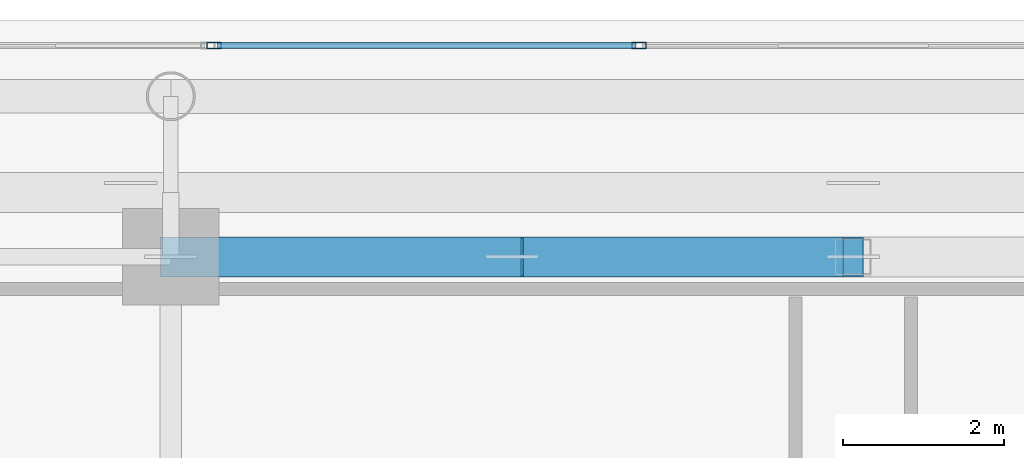
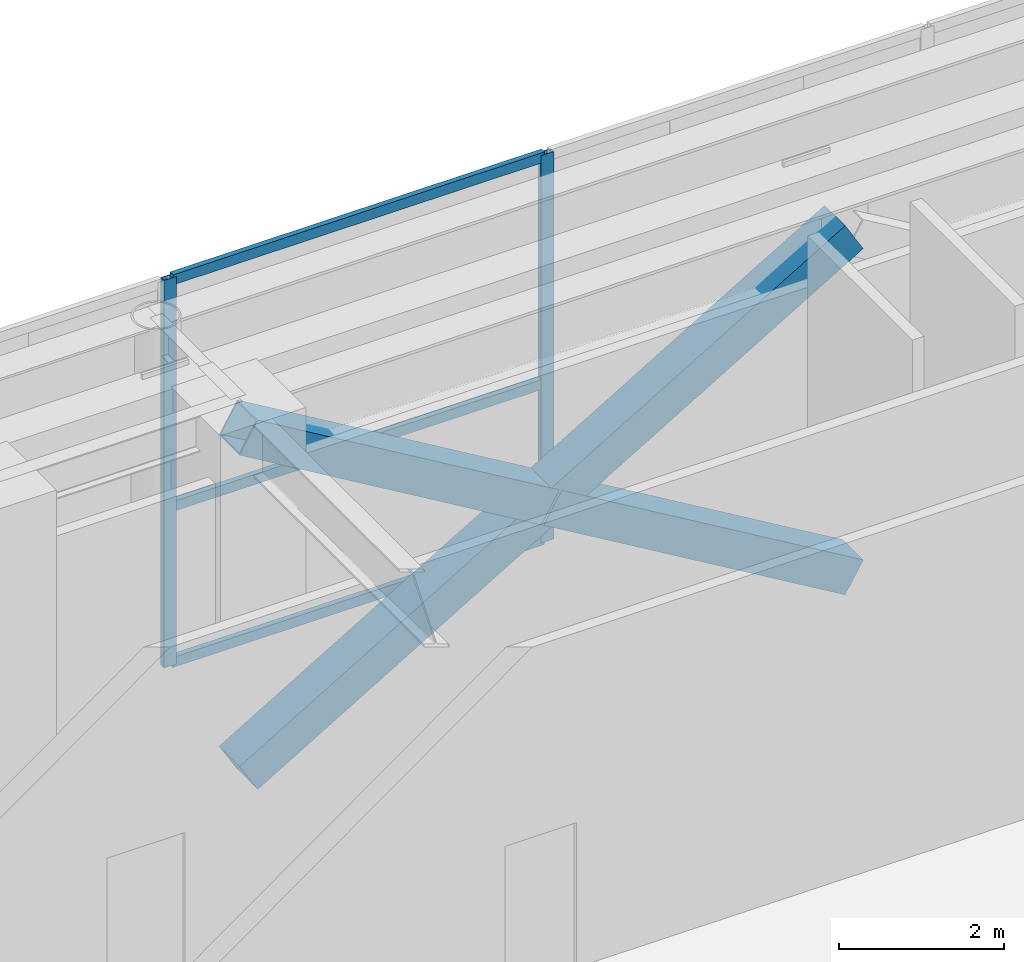
# One storey, part 13 of 29: 8 members, 1 element without a shape of its own.
"""IFC4 building model written with IfcOpenShell, lengths in metres."""

from ifc_helpers import new_model, si_unit, direction, frame, origin, origin_2d, place, context, subcontext, project, spatial, hollow_rectangle, extrude, source, transform, mapped, material, layer, layer_set, material_profile, profile_set, type_object, element, aggregate, save


model = new_model("IFC4")

# Units and contexts
model_context = context("Model", 3, precision=1e-05, world=origin(), true_north=direction((0.0, 1.0)))
body_context = subcontext(model_context, "Body", "Model", "MODEL_VIEW")
ifc_project = project(units=[si_unit("LENGTHUNIT", "METRE"), si_unit("AREAUNIT", "SQUARE_METRE"), si_unit("VOLUMEUNIT", "CUBIC_METRE"), si_unit("PLANEANGLEUNIT", "RADIAN"), si_unit("MASSUNIT", "GRAM", prefix="KILO")], contexts=[model_context])

# Site, building, storey
site_placement = place(None, origin())
site = spatial("IfcSite", under=ifc_project, at=site_placement, CompositionType="ELEMENT")
building_placement = place(site_placement, origin())
building = spatial("IfcBuilding", under=site, at=building_placement, Name="Ocotamira Hotel", CompositionType="ELEMENT")
storey_placement = place(building_placement, frame((0.0, 0.0, 28.800048828125)))
storey = spatial("IfcBuildingStorey", under=building, at=storey_placement, Name="L06", CompositionType="ELEMENT", Elevation=28.800048828125)

# Members
ifc_material_1 = material(Name="Steel ASTM A913 Grade 65", Category="steel")
ifc_material_profile_1 = material_profile(ifc_material_1, hollow_rectangle(XDim=0.5, YDim=0.5, WallThickness=0.02001953125, at=origin_2d()), Name="HSS500X500X20")
ifc_profile_set_1 = profile_set([ifc_material_profile_1], Name="Steel ASTM A913 Grade 65")
member_type_1 = type_object("IfcMemberType", Name="MEM-OUT-HSS500", PredefinedType="BRACE", material=ifc_profile_set_1)
shared_shape_1 = source(origin(), body_context, "Body", "SweptSolid", [
    extrude(hollow_rectangle(XDim=0.5, YDim=0.5, WallThickness=0.02001953125, at=origin_2d()), origin(), (0.0, 0.0, 1.0), 9.886962890625),
])
member_1_placement = place(storey_placement, frame((23.5, 49.050048828125, 0.25), z_axis=(0.859713791233, 0.0, 0.510776073405), x_axis=(0.0, 1.0, 0.0)))
element("IfcMember", 1, at=member_1_placement, inside=storey, type_object=member_type_1, Name="L06 Portal Transfer Truss Diagonal Y49.05-1", PredefinedType="BRACE", context=body_context, shape_type="MappedRepresentation", body=[
    mapped(shared_shape_1, transform((0.0, 0.0, 0.0), scale=1.0)),
])
shared_shape_2 = source(origin(), body_context, "Body", "SweptSolid", [
    extrude(hollow_rectangle(XDim=0.5, YDim=0.5, WallThickness=0.02001953125, at=origin_2d()), origin(), (0.0, 0.0, 1.0), 4.923583984375),
])
for number, where, z_axis, x_axis, name in (
    (2, (23.5, 49.050048828125, 5.300048828125), (0.859711861236, 0.0, -0.51077932187), (0.0, 1.0, 0.0), "L06 Portal Transfer Truss Diagonal Y49.05-3 Lower Half"),
    (3, (27.76708984375, 49.050048828125, 2.7646484375), (0.859733635103, 0.0, -0.510742671678), (0.0, 1.0, 0.0), "L06 Portal Transfer Truss Diagonal Y49.05-3 Upper Half"),
):
    element("IfcMember", number, at=place(storey_placement, frame(where, z_axis=z_axis, x_axis=x_axis)), inside=storey, type_object=member_type_1, Name=name, PredefinedType="BRACE", context=body_context, shape_type="MappedRepresentation", body=[
        mapped(shared_shape_2, transform((0.0, 0.0, 0.0), scale=1.0)),
    ])

# Curtain wall, members
ifc_material_2 = material(Name="Anodised pale-metal aluminium and solar glass", Category="aluminium")
ifc_layer = layer(ifc_material_2, 0.239990234375)
ifc_layer_set = layer_set([ifc_layer], Name="Anodised pale-metal aluminium and solar glass")
curtain_wall_type = type_object("IfcCurtainWallType", Name="CW-SYS5-SKY", PredefinedType="NOTDEFINED", material=ifc_layer_set)
curtain_wall_placement = place(storey_placement, origin())
curtain_wall = element("IfcCurtainWall", 4, at=curtain_wall_placement, inside=storey, type_object=curtain_wall_type, Name="L06 Curtain Wall CW-5 CW-L06-N2", PredefinedType="NOTDEFINED")
ifc_material_3 = material(Name="Anodised pale-metal aluminium 6063-T6", Category="aluminium")
ifc_material_profile_2 = material_profile(ifc_material_3, hollow_rectangle(XDim=0.074951171875, YDim=0.14990234375, WallThickness=0.006103515625, at=origin_2d()), Name="HSS150X75X6")
ifc_profile_set_2 = profile_set([ifc_material_profile_2], Name="Anodised pale-metal aluminium 6063-T6")
member_type_2 = type_object("IfcMemberType", Name="CWT-150X75", PredefinedType="USERDEFINED", material=ifc_profile_set_2)
shared_shape_3 = source(origin(), body_context, "Body", "SweptSolid", [
    extrude(hollow_rectangle(XDim=0.074951171875, YDim=0.14990234375, WallThickness=0.006103515625, at=origin_2d()), origin(), (0.0, 0.0, 1.0), 5.213134765625),
])
member_2_placement = place(storey_placement, frame((24.080078125, 51.679931640625, 0.037353515625), z_axis=(1.0, 0.0, 0.0), x_axis=(0.0, 1.0, 0.0)))
member_2 = element("IfcMember", 5, at=member_2_placement, type_object=member_type_2, Name="CW-5 transom 1.1", ObjectType="TRANSOM", PredefinedType="USERDEFINED", context=body_context, shape_type="MappedRepresentation", body=[
    mapped(shared_shape_3, transform((0.0, 0.0, 0.0), scale=1.0)),
])
member_3_placement = place(storey_placement, frame((24.080078125, 51.679931640625, 2.349853515625), z_axis=(1.0, 0.0, 0.0), x_axis=(0.0, 1.0, 0.0)))
member_3 = element("IfcMember", 6, at=member_3_placement, type_object=member_type_2, Name="CW-5 transom 1.2", ObjectType="TRANSOM", PredefinedType="USERDEFINED", context=body_context, shape_type="MappedRepresentation", body=[
    mapped(shared_shape_3, transform((0.0, 0.0, 0.0), scale=1.0)),
])
member_4_placement = place(storey_placement, frame((24.080078125, 51.679931640625, 5.71240234375), z_axis=(1.0, 0.0, 0.0), x_axis=(0.0, 1.0, 0.0)))
member_4 = element("IfcMember", 7, at=member_4_placement, type_object=member_type_2, Name="CW-5 transom 1.3", ObjectType="TRANSOM", PredefinedType="USERDEFINED", context=body_context, shape_type="MappedRepresentation", body=[
    mapped(shared_shape_3, transform((0.0, 0.0, 0.0), scale=1.0)),
])
ifc_material_profile_3 = material_profile(ifc_material_3, hollow_rectangle(XDim=0.080078125, YDim=0.179931640625, WallThickness=0.006103515625, at=origin_2d()), Name="HSS180X80X6")
ifc_profile_set_3 = profile_set([ifc_material_profile_3], Name="Anodised pale-metal aluminium 6063-T6")
member_type_3 = type_object("IfcMemberType", Name="CWM-180X75", PredefinedType="MULLION", material=ifc_profile_set_3)
shared_shape_4 = source(origin(), body_context, "Body", "SweptSolid", [
    extrude(hollow_rectangle(XDim=0.080078125, YDim=0.179931640625, WallThickness=0.006103515625, at=origin_2d()), origin(), (0.0, 0.0, 1.0), 5.75),
])
member_5_placement = place(storey_placement, frame((24.0400390625, 51.679931640625, 0.0), z_axis=(0.0, 0.0, 1.0), x_axis=(0.0, 1.0, 0.0)))
member_5 = element("IfcMember", 8, at=member_5_placement, type_object=member_type_3, Name="CW-5 mullion 1", PredefinedType="MULLION", context=body_context, shape_type="MappedRepresentation", body=[
    mapped(shared_shape_4, transform((0.0, 0.0, 0.0), scale=1.0)),
])
member_6_placement = place(storey_placement, frame((29.333251953125, 51.679931640625, 0.0), z_axis=(0.0, 0.0, 1.0), x_axis=(0.0, 1.0, 0.0)))
member_6 = element("IfcMember", 9, at=member_6_placement, type_object=member_type_3, Name="CW-5 mullion 2", PredefinedType="MULLION", context=body_context, shape_type="MappedRepresentation", body=[
    mapped(shared_shape_4, transform((0.0, 0.0, 0.0), scale=1.0)),
])
aggregate(curtain_wall, [member_5, member_6, member_2, member_3, member_4])

save(model, "model.ifc")
